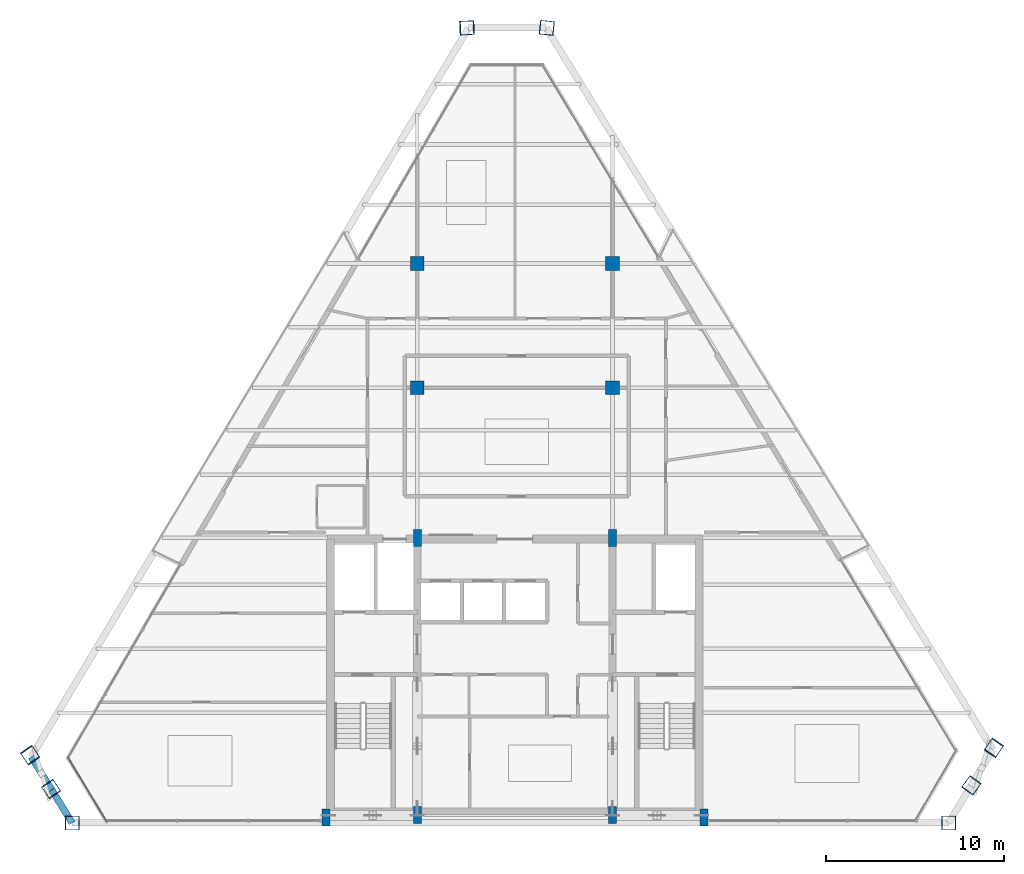
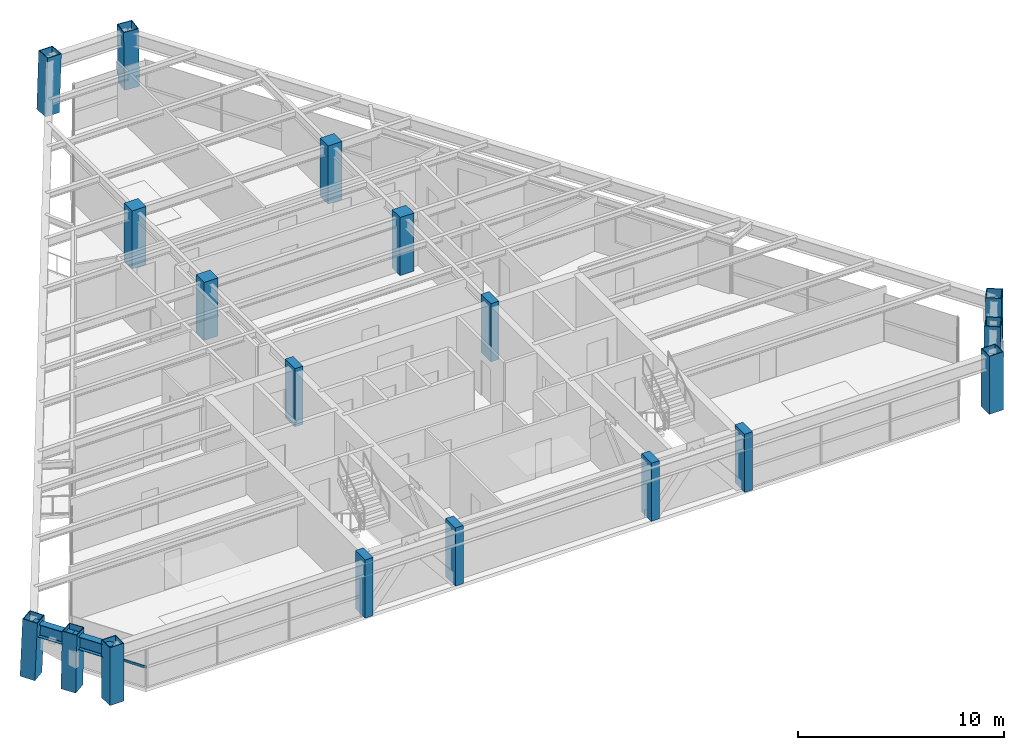
# One storey, part 1 of 13: 18 columns, 2 beams, 1 member, 1 element without a shape of its own.
"""IFC4 building model written with IfcOpenShell, lengths in metres."""

from ifc_helpers import new_model, si_unit, direction, frame, origin, origin_2d, place, context, subcontext, project, spatial, rectangle, hollow_rectangle, i_section, extrude, source, transform, mapped, material, material_profile, profile_set, type_object, type_shapes, element, aggregate, save


model = new_model("IFC4")

# Units and contexts
model_context = context("Model", 3, precision=1e-05, world=origin(), true_north=direction((0.0, 1.0)))
body_context = subcontext(model_context, "Body", "Model", "MODEL_VIEW")
ifc_project = project(units=[si_unit("LENGTHUNIT", "METRE"), si_unit("AREAUNIT", "SQUARE_METRE"), si_unit("VOLUMEUNIT", "CUBIC_METRE"), si_unit("PLANEANGLEUNIT", "RADIAN"), si_unit("MASSUNIT", "GRAM", prefix="KILO")], contexts=[model_context])

# Site, building, storey
site_placement = place(None, origin())
site = spatial("IfcSite", under=ifc_project, at=site_placement, CompositionType="ELEMENT")
building_placement = place(site_placement, origin())
building = spatial("IfcBuilding", under=site, at=building_placement, Name="Varnakhor Terracotta Tower", CompositionType="ELEMENT")
storey_placement = place(building_placement, frame((0.0, 0.0, 262.64990234375)))
storey = spatial("IfcBuildingStorey", under=building, at=storey_placement, Name="L68", CompositionType="ELEMENT", Elevation=262.64990234375)

# Columns
ifc_material_1 = material(Name="Concrete C50/60", Category="concrete")
ifc_material_profile_1 = material_profile(ifc_material_1, rectangle(XDim=0.449951171875, YDim=0.949951171875, at=origin_2d()), Name="RC PILASTER 950x450")
ifc_profile_set_1 = profile_set([ifc_material_profile_1], Name="Concrete C50/60")
column_type_1 = type_object("IfcColumnType", Name="COL-PIL-950x450", PredefinedType="PILASTER", material=ifc_profile_set_1)
shared_shape_1 = source(origin(), body_context, "Body", "SweptSolid", [
    extrude(rectangle(XDim=0.449951171875, YDim=0.949951171875, at=origin_2d()), origin(), (0.0, 0.0, 1.0), 3.4501953125),
])
for number, where, z_axis, x_axis, name in (
    (1, (-10.64990234375, 0.300048828125, 0.0), (0.0, 0.0, 1.0), (1.0, 0.0, 0.0), "L68 Core Pilaster CP1"),
    (2, (-5.5, 0.449951171875, 0.0), (0.0, 0.0, 1.0), (1.0, 0.0, 0.0), "L68 Core Pilaster CP2"),
    (3, (5.5, 0.449951171875, 0.0), (0.0, 0.0, 1.0), (1.0, 0.0, 0.0), "L68 Core Pilaster CP3"),
    (4, (10.64990234375, 0.300048828125, 0.0), (0.0, 0.0, 1.0), (1.0, 0.0, 0.0), "L68 Core Pilaster CP4"),
    (5, (-5.5, 16.050048828125, 0.0), (0.0, 0.0, 1.0), (1.0, 0.0, 0.0), "L68 Core Pilaster CP5"),
    (6, (5.5, 16.050048828125, 0.0), (0.0, 0.0, 1.0), (1.0, 0.0, 0.0), "L68 Core Pilaster CP6"),
):
    element("IfcColumn", number, at=place(storey_placement, frame(where, z_axis=z_axis, x_axis=x_axis)), inside=storey, type_object=column_type_1, Name=name, PredefinedType="PILASTER", context=body_context, shape_type="MappedRepresentation", body=[
        mapped(shared_shape_1, transform((0.0, 0.0, 0.0), scale=1.0)),
    ])
ifc_material_profile_2 = material_profile(ifc_material_1, rectangle(XDim=0.780029296875, YDim=0.780029296875, at=origin_2d()), Name="RC 780x780")
ifc_profile_set_2 = profile_set([ifc_material_profile_2], Name="Concrete C50/60")
column_type_2 = type_object("IfcColumnType", Name="COL-RC-780", PredefinedType="COLUMN", material=ifc_profile_set_2)
shared_shape_2 = source(origin(), body_context, "Body", "SweptSolid", [
    extrude(rectangle(XDim=0.780029296875, YDim=0.780029296875, at=origin_2d()), origin(), (0.0, 0.0, 1.0), 3.4501953125),
])
for number, where, z_axis, x_axis, name in (
    (7, (-5.5, 24.5, 0.0), (0.0, 0.0, 1.0), (1.0, 0.0, 0.0), "L68 Interior Tower Column IC1"),
    (8, (5.5, 24.5, 0.0), (0.0, 0.0, 1.0), (1.0, 0.0, 0.0), "L68 Interior Tower Column IC2"),
    (9, (-5.5, 31.5, 0.0), (0.0, 0.0, 1.0), (1.0, 0.0, 0.0), "L68 Interior Tower Column IC3"),
    (10, (5.5, 31.5, 0.0), (0.0, 0.0, 1.0), (1.0, 0.0, 0.0), "L68 Interior Tower Column IC4"),
):
    element("IfcColumn", number, at=place(storey_placement, frame(where, z_axis=z_axis, x_axis=x_axis)), inside=storey, type_object=column_type_2, Name=name, PredefinedType="COLUMN", context=body_context, shape_type="MappedRepresentation", body=[
        mapped(shared_shape_2, transform((0.0, 0.0, 0.0), scale=1.0)),
    ])
ifc_material_2 = material(Name="Steel S355", Category="steel")
ifc_material_profile_3 = material_profile(ifc_material_2, hollow_rectangle(XDim=0.800048828125, YDim=0.800048828125, WallThickness=0.0400390625, at=origin_2d()), Name="BOX 800x800x40")
ifc_profile_set_3 = profile_set([ifc_material_profile_3], Name="Steel S355")
column_type_3 = type_object("IfcColumnType", Name="COL-MEGA-800", PredefinedType="COLUMN", material=ifc_profile_set_3)
shared_shape_3 = source(origin(), body_context, "Body", "SweptSolid", [
    extrude(hollow_rectangle(XDim=0.800048828125, YDim=0.800048828125, WallThickness=0.0400390625, at=origin_2d()), origin(), (0.0, 0.0, 1.0), 3.44140625),
])
type_shapes(column_type_3, [shared_shape_3])
for number, where, z_axis, x_axis, name in (
    (11, (-24.935302734375, 0.0, 0.00439453125), (-0.000354710534, 0.0, 0.99999993709), (1.0, 0.0, 0.0), "L68 Perimeter Mega-Column M1"),
    (12, (24.43505859375, 0.0, 0.00439453125), (-0.001347898889, 0.0, 0.999999091584), (1.0, 0.0, 0.0), "L68 Perimeter Mega-Column M2"),
):
    element("IfcColumn", number, at=place(storey_placement, frame(where, z_axis=z_axis, x_axis=x_axis)), inside=storey, type_object=column_type_3, Name=name, PredefinedType="COLUMN", context=body_context, shape_type="MappedRepresentation", body=[
        mapped(shared_shape_3, transform((0.0, 0.0, 0.0), scale=1.0)),
    ])
shared_shape_4 = source(origin(), body_context, "Body", "SweptSolid", [
    extrude(hollow_rectangle(XDim=0.800048828125, YDim=0.800048828125, WallThickness=0.0400390625, at=origin_2d()), origin(), (0.0, 0.0, 1.0), 3.442138671875),
])
for number, where, z_axis, x_axis, name in (
    (13, (25.70947265625, 2.12109375, 0.00439453125), (-0.011490412596, -0.015887977911, 0.999807752809), (0.810297504985, -0.586018731284, 0.0), "L68 Perimeter Mega-Column M3"),
    (14, (-26.126220703125, 1.916259765625, 0.00439453125), (0.011348416461, -0.016738914279, 0.999795490184), (0.827708498205, 0.561158303868, 0.0), "L68 Perimeter Mega-Column M8"),
):
    element("IfcColumn", number, at=place(storey_placement, frame(where, z_axis=z_axis, x_axis=x_axis)), inside=storey, type_object=column_type_3, Name=name, PredefinedType="COLUMN", context=body_context, shape_type="MappedRepresentation", body=[
        mapped(shared_shape_4, transform((0.0, 0.0, 0.0), scale=1.0)),
    ])
shared_shape_5 = source(origin(), body_context, "Body", "SweptSolid", [
    extrude(hollow_rectangle(XDim=0.800048828125, YDim=0.800048828125, WallThickness=0.0400390625, at=origin_2d()), origin(), (0.0, 0.0, 1.0), 3.44384765625),
])
column_1_placement = place(storey_placement, frame((26.983642578125, 4.2421875, 0.00439453125), z_axis=(-0.021550463343, -0.031829467241, 0.999260958181), x_axis=(0.828056784904, -0.56064423744, 0.0)))
element("IfcColumn", 15, at=column_1_placement, inside=storey, type_object=column_type_3, Name="L68 Perimeter Mega-Column M4", PredefinedType="COLUMN", context=body_context, shape_type="MappedRepresentation", body=[
    mapped(shared_shape_5, transform((0.0, 0.0, 0.0), scale=1.0)),
])
shared_shape_6 = source(origin(), body_context, "Body", "SweptSolid", [
    extrude(hollow_rectangle(XDim=0.800048828125, YDim=0.800048828125, WallThickness=0.0400390625, at=origin_2d()), origin(), (0.0, 0.0, 1.0), 3.44189453125),
])
column_2_placement = place(storey_placement, frame((1.802978515625, 44.766845703125, 0.00439453125), z_axis=(-0.014967090541, 0.001560549725, 0.999886769032), x_axis=(-0.103703233443, -0.994608284388, 0.0)))
element("IfcColumn", 16, at=column_2_placement, inside=storey, type_object=column_type_3, Name="L68 Perimeter Mega-Column M5", PredefinedType="COLUMN", context=body_context, shape_type="MappedRepresentation", body=[
    mapped(shared_shape_6, transform((0.0, 0.0, 0.0), scale=1.0)),
])
shared_shape_7 = source(origin(), body_context, "Body", "SweptSolid", [
    extrude(hollow_rectangle(XDim=0.800048828125, YDim=0.800048828125, WallThickness=0.0400390625, at=origin_2d()), origin(), (0.0, 0.0, 1.0), 3.443359375),
])
column_3_placement = place(storey_placement, frame((-2.72314453125, 44.766845703125, 0.00439453125), z_axis=(0.032899280581, 0.001559879683, 0.999457454879), x_axis=(-0.047360588083, 0.998877857747, 0.0)))
element("IfcColumn", 17, at=column_3_placement, inside=storey, type_object=column_type_3, Name="L68 Perimeter Mega-Column M6", PredefinedType="COLUMN", context=body_context, shape_type="MappedRepresentation", body=[
    mapped(shared_shape_7, transform((0.0, 0.0, 0.0), scale=1.0)),
])
shared_shape_8 = source(origin(), body_context, "Body", "SweptSolid", [
    extrude(hollow_rectangle(XDim=0.800048828125, YDim=0.800048828125, WallThickness=0.0400390625, at=origin_2d()), origin(), (0.0, 0.0, 1.0), 3.4443359375),
])
column_4_placement = place(storey_placement, frame((-27.31689453125, 3.832763671875, 0.00439453125), z_axis=(0.022966255341, -0.033527897458, 0.999173874362), x_axis=(0.825007668948, 0.565121532218, 0.0)))
element("IfcColumn", 18, at=column_4_placement, inside=storey, type_object=column_type_3, Name="L68 Perimeter Mega-Column M7", PredefinedType="COLUMN", context=body_context, shape_type="MappedRepresentation", body=[
    mapped(shared_shape_8, transform((0.0, 0.0, 0.0), scale=1.0)),
])

# Beams
ifc_material_profile_4 = material_profile(ifc_material_2, i_section(OverallWidth=0.381103515625, OverallDepth=0.77294921875, WebThickness=0.01708984375, FlangeThickness=0.027099609375, FilletRadius=0.01806640625, at=origin_2d()), Name="W30X173")
ifc_profile_set_4 = profile_set([ifc_material_profile_4], Name="Steel S355")
beam_type = type_object("IfcBeamType", Name="BM-W30X173", PredefinedType="BEAM", material=ifc_profile_set_4)
shared_shape_9 = source(origin(), body_context, "Body", "SweptSolid", [
    extrude(i_section(OverallWidth=0.381103515625, OverallDepth=0.77294921875, WebThickness=0.01708984375, FlangeThickness=0.027099609375, FilletRadius=0.01806640625, at=origin_2d()), origin(), (0.0, 0.0, 1.0), 2.18603515625),
])
for number, where, z_axis, x_axis, name in (
    (19, (-27.23779296875, 3.71728515625, 2.853515625), (0.526369994063, -0.850255625886, 0.0), (0.850255625886, 0.526369994063, 0.0), "L68 Perimeter Spandrel 7"),
    (20, (-26.087158203125, 1.858642578125, 2.853515625), (0.526369994063, -0.850255625886, 0.0), (0.850255625886, 0.526369994063, 0.0), "L68 Perimeter Spandrel 8"),
):
    element("IfcBeam", number, at=place(storey_placement, frame(where, z_axis=z_axis, x_axis=x_axis)), inside=storey, type_object=beam_type, Name=name, PredefinedType="BEAM", context=body_context, shape_type="MappedRepresentation", body=[
        mapped(shared_shape_9, transform((0.0, 0.0, 0.0), scale=1.0)),
    ])

# Curtain wall, member
ifc_material_3 = material(Name="Anodised Aluminium Curtain Wall System", Category="aluminium")
curtain_wall_type = type_object("IfcCurtainWallType", Name="CW-SYS-HOTEL-LOGGIA", PredefinedType="NOTDEFINED", material=ifc_material_3)
curtain_wall_placement = place(storey_placement, origin())
curtain_wall = element("IfcCurtainWall", 21, at=curtain_wall_placement, inside=storey, type_object=curtain_wall_type, Name="L68 Facet Curtain Wall 6", PredefinedType="NOTDEFINED")
ifc_material_4 = material(Name="Anodised Aluminium 6063-T6", Category="aluminium")
ifc_material_profile_5 = material_profile(ifc_material_4, rectangle(XDim=0.06494140625, YDim=0.14501953125, at=origin_2d()), Name="ALU TRANSOM 65x145")
ifc_profile_set_5 = profile_set([ifc_material_profile_5], Name="Anodised Aluminium 6063-T6")
member_type = type_object("IfcMemberType", Name="CWT-04", PredefinedType="USERDEFINED", material=ifc_profile_set_5)
shared_shape_10 = source(origin(), body_context, "Body", "SweptSolid", [
    extrude(rectangle(XDim=0.06494140625, YDim=0.14501953125, at=origin_2d()), origin(), (0.0, 0.0, 1.0), 4.216552734375),
])
member_placement = place(storey_placement, frame((-22.99609375, 0.087646484375, 1.1845703125), z_axis=(-0.516189212553, 0.856474574546, 0.0), x_axis=(-0.856474574546, -0.516189212553, 0.0)))
member = element("IfcMember", 22, at=member_placement, type_object=member_type, Name="L68 Facet Curtain Wall 6 Transom 1", ObjectType="TRANSOM", PredefinedType="USERDEFINED", context=body_context, shape_type="MappedRepresentation", body=[
    mapped(shared_shape_10, transform((0.0, 0.0, 0.0), scale=1.0)),
])
aggregate(curtain_wall, [member])

save(model, "model.ifc")
